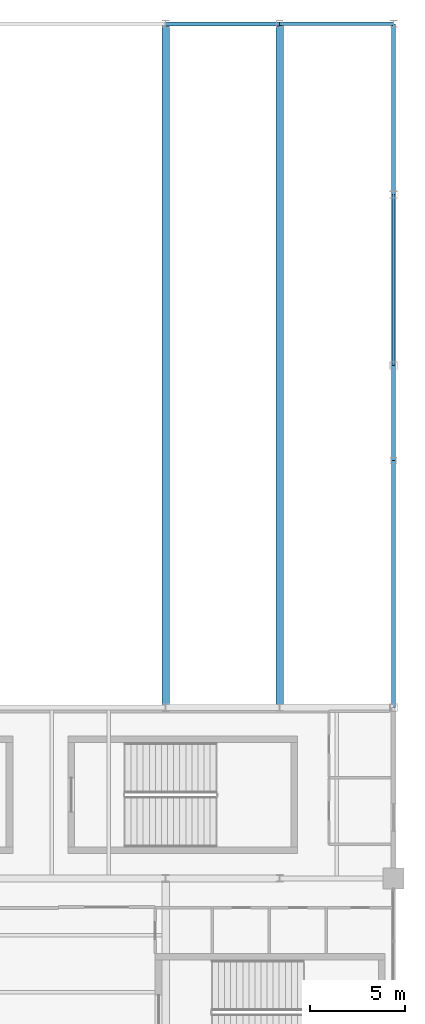
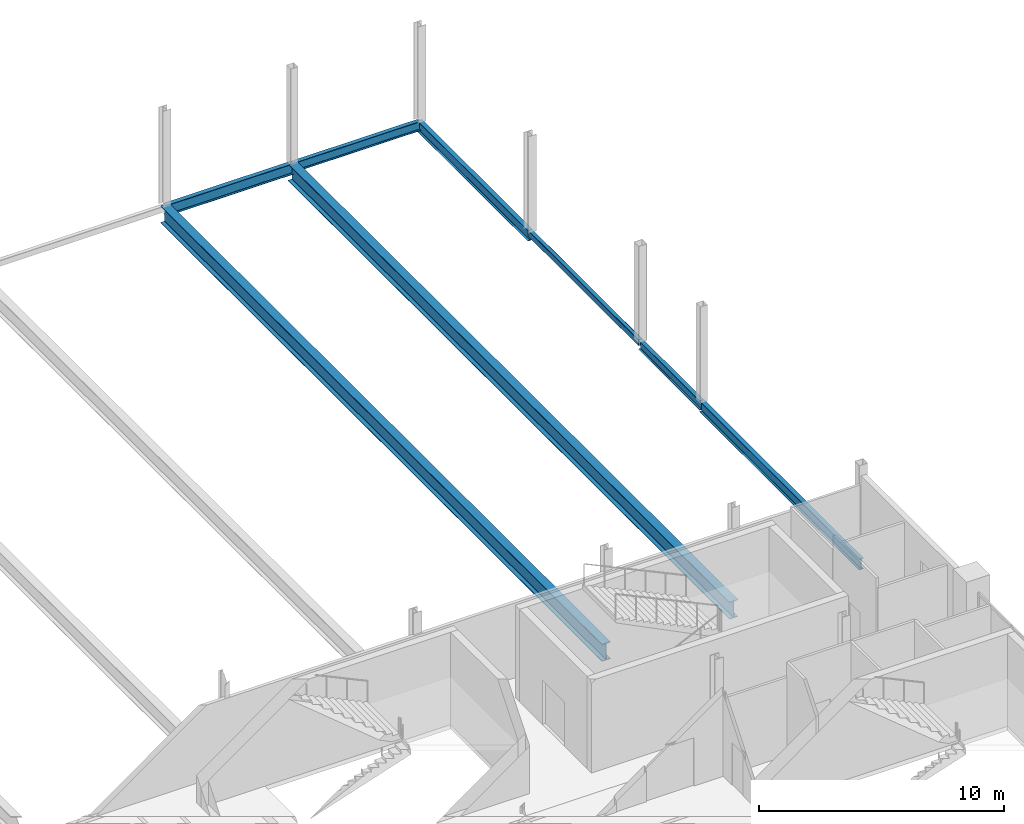
# One storey, part 158 of 224: 8 beams.
"""IFC4 building model written with IfcOpenShell, lengths in metres."""

from ifc_helpers import new_model, si_unit, direction, frame, origin, origin_2d, place, context, subcontext, project, spatial, hollow_rectangle, i_section, extrude, material, material_profile, profile_set, type_object, element, save


model = new_model("IFC4")

# Units and contexts
model_context = context("Model", 3, precision=1e-05, world=origin(), true_north=direction((0.0, 1.0)))
body_context = subcontext(model_context, "Body", "Model", "MODEL_VIEW")
ifc_project = project(units=[si_unit("LENGTHUNIT", "METRE"), si_unit("AREAUNIT", "SQUARE_METRE"), si_unit("VOLUMEUNIT", "CUBIC_METRE"), si_unit("PLANEANGLEUNIT", "RADIAN"), si_unit("MASSUNIT", "GRAM", prefix="KILO")], contexts=[model_context])

# Site, building, storey
site_placement = place(None, origin())
site = spatial("IfcSite", under=ifc_project, at=site_placement, CompositionType="ELEMENT")
building_placement = place(site_placement, origin())
building = spatial("IfcBuilding", under=site, at=building_placement, Name="Qamarlyn Nura Convention Centre", CompositionType="ELEMENT")
storey_placement = place(building_placement, frame((0.0, 0.0, 10.800048828125)))
storey = spatial("IfcBuildingStorey", under=building, at=storey_placement, Name="L02", CompositionType="ELEMENT", Elevation=10.800048828125)

# Beams
ifc_material_1 = material(Name="Steel ASTM A992", Category="steel")
ifc_material_profile_1 = material_profile(ifc_material_1, i_section(OverallWidth=0.39990234375, OverallDepth=0.85498046875, WebThickness=0.018310546875, FlangeThickness=0.029296875, FilletRadius=0.02197265625, at=origin_2d()), Name="W840X299")
ifc_profile_set_1 = profile_set([ifc_material_profile_1], Name="Steel ASTM A992")
beam_type_1 = type_object("IfcBeamType", Name="BM-GIRD-840", PredefinedType="BEAM", material=ifc_profile_set_1)
for number, where, z_axis, x_axis, name in (
    (1, (180.0, 90.0, -0.427490234375), (0.0, 1.0, 0.0), (-1.0, 0.0, 0.0), "L02 girder 16 L-Q"),
    (2, (186.0, 90.0, -0.427490234375), (0.0, 1.0, 0.0), (-1.0, 0.0, 0.0), "L02 girder 17 L-Q"),
):
    element("IfcBeam", number, at=place(storey_placement, frame(where, z_axis=z_axis, x_axis=x_axis)), inside=storey, type_object=beam_type_1, Name=name, PredefinedType="BEAM", context=body_context, shape_type="SweptSolid", body=[
        extrude(i_section(OverallWidth=0.39990234375, OverallDepth=0.85498046875, WebThickness=0.018310546875, FlangeThickness=0.029296875, FilletRadius=0.02197265625, at=origin_2d()), origin(), (0.0, 0.0, 1.0), 36.0),
    ])
ifc_material_profile_2 = material_profile(ifc_material_1, i_section(OverallWidth=0.193115234375, OverallDepth=0.466064453125, WebThickness=0.011474609375, FlangeThickness=0.01904296875, FilletRadius=0.012939453125, at=origin_2d()), Name="W460X97")
ifc_profile_set_2 = profile_set([ifc_material_profile_2], Name="Steel ASTM A992")
beam_type_2 = type_object("IfcBeamType", Name="BM-SPAN-460", PredefinedType="SPANDREL", material=ifc_profile_set_2)
beam_1_placement = place(storey_placement, frame((186.0, 126.0, -0.233154296875), z_axis=(1.0, 0.0, 0.0), x_axis=(0.0, 1.0, 0.0)))
element("IfcBeam", 3, at=beam_1_placement, inside=storey, type_object=beam_type_2, Name="L02 girder Q 17-18", PredefinedType="SPANDREL", context=body_context, shape_type="SweptSolid", body=[
    extrude(i_section(OverallWidth=0.193115234375, OverallDepth=0.466064453125, WebThickness=0.011474609375, FlangeThickness=0.01904296875, FilletRadius=0.012939453125, at=origin_2d()), origin(), (0.0, 0.0, 1.0), 6.0),
])
beam_2_placement = place(storey_placement, frame((192.0, 103.0, -0.233154296875), z_axis=(0.0, 1.0, 0.0), x_axis=(-1.0, 0.0, 0.0)))
element("IfcBeam", 4, at=beam_2_placement, inside=storey, type_object=beam_type_2, Name="L02 girder 18 M-N", PredefinedType="SPANDREL", context=body_context, shape_type="SweptSolid", body=[
    extrude(i_section(OverallWidth=0.193115234375, OverallDepth=0.466064453125, WebThickness=0.011474609375, FlangeThickness=0.01904296875, FilletRadius=0.012939453125, at=origin_2d()), origin(), (0.0, 0.0, 1.0), 5.0),
])
ifc_material_profile_3 = material_profile(ifc_material_1, i_section(OverallWidth=0.2109375, OverallDepth=0.5390625, WebThickness=0.01171875, FlangeThickness=0.018798828125, FilletRadius=0.013916015625, at=origin_2d()), Name="W530X109")
ifc_profile_set_3 = profile_set([ifc_material_profile_3], Name="Steel ASTM A992")
beam_type_3 = type_object("IfcBeamType", Name="BM-SPAN-530", PredefinedType="SPANDREL", material=ifc_profile_set_3)
beam_3_placement = place(storey_placement, frame((180.0, 126.0, -0.26953125), z_axis=(1.0, 0.0, 0.0), x_axis=(0.0, 1.0, 0.0)))
element("IfcBeam", 5, at=beam_3_placement, inside=storey, type_object=beam_type_3, Name="L02 girder Q 16-17", PredefinedType="SPANDREL", context=body_context, shape_type="SweptSolid", body=[
    extrude(i_section(OverallWidth=0.2109375, OverallDepth=0.5390625, WebThickness=0.01171875, FlangeThickness=0.018798828125, FilletRadius=0.013916015625, at=origin_2d()), origin(), (0.0, 0.0, 1.0), 6.0),
])
beam_4_placement = place(storey_placement, frame((192.0, 90.0, -0.26953125), z_axis=(0.0, 1.0, 0.0), x_axis=(-1.0, 0.0, 0.0)))
element("IfcBeam", 6, at=beam_4_placement, inside=storey, type_object=beam_type_3, Name="L02 girder 18 L-M", PredefinedType="SPANDREL", context=body_context, shape_type="SweptSolid", body=[
    extrude(i_section(OverallWidth=0.2109375, OverallDepth=0.5390625, WebThickness=0.01171875, FlangeThickness=0.018798828125, FilletRadius=0.013916015625, at=origin_2d()), origin(), (0.0, 0.0, 1.0), 13.0),
])
beam_5_placement = place(storey_placement, frame((192.0, 117.0, -0.26953125), z_axis=(0.0, 1.0, 0.0), x_axis=(-1.0, 0.0, 0.0)))
element("IfcBeam", 7, at=beam_5_placement, inside=storey, type_object=beam_type_3, Name="L02 girder 18 P-Q", PredefinedType="SPANDREL", context=body_context, shape_type="SweptSolid", body=[
    extrude(i_section(OverallWidth=0.2109375, OverallDepth=0.5390625, WebThickness=0.01171875, FlangeThickness=0.018798828125, FilletRadius=0.013916015625, at=origin_2d()), origin(), (0.0, 0.0, 1.0), 9.0),
])
ifc_material_2 = material(Name="Steel ASTM A500 Grade C", Category="steel")
ifc_material_profile_4 = material_profile(ifc_material_2, hollow_rectangle(XDim=0.199951171875, YDim=0.300048828125, WallThickness=0.012451171875, InnerFilletRadius=0.012451171875, OuterFilletRadius=0.02490234375, at=origin_2d()), Name="HSS300X200X12.5")
ifc_profile_set_4 = profile_set([ifc_material_profile_4], Name="Steel ASTM A500 Grade C")
beam_type_4 = type_object("IfcBeamType", Name="BM-SPAN-HSS", PredefinedType="SPANDREL", material=ifc_profile_set_4)
beam_6_placement = place(storey_placement, frame((192.0, 108.0, -0.150146484375), z_axis=(0.0, 1.0, 0.0), x_axis=(-1.0, 0.0, 0.0)))
element("IfcBeam", 8, at=beam_6_placement, inside=storey, type_object=beam_type_4, Name="L02 girder 18 N-P", PredefinedType="SPANDREL", context=body_context, shape_type="SweptSolid", body=[
    extrude(hollow_rectangle(XDim=0.199951171875, YDim=0.300048828125, WallThickness=0.012451171875, InnerFilletRadius=0.012451171875, OuterFilletRadius=0.02490234375, at=origin_2d()), origin(), (0.0, 0.0, 1.0), 9.0),
])

save(model, "model.ifc")
